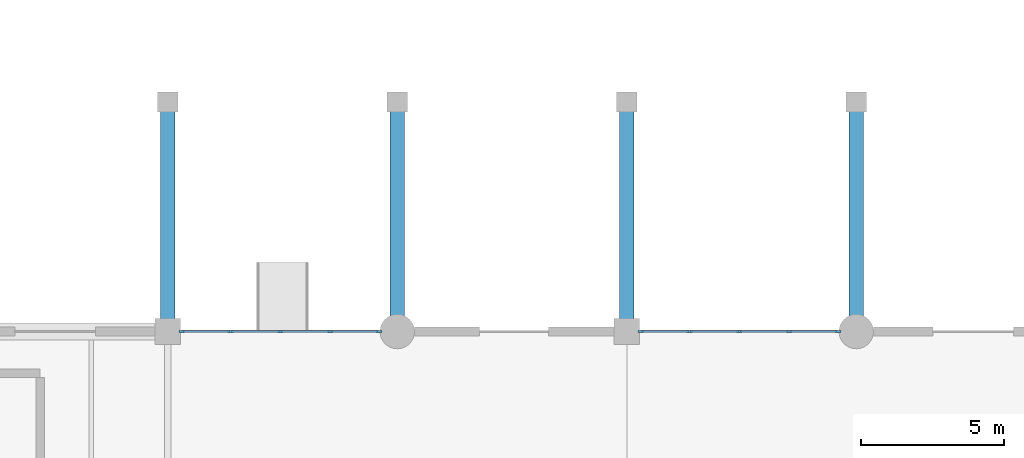
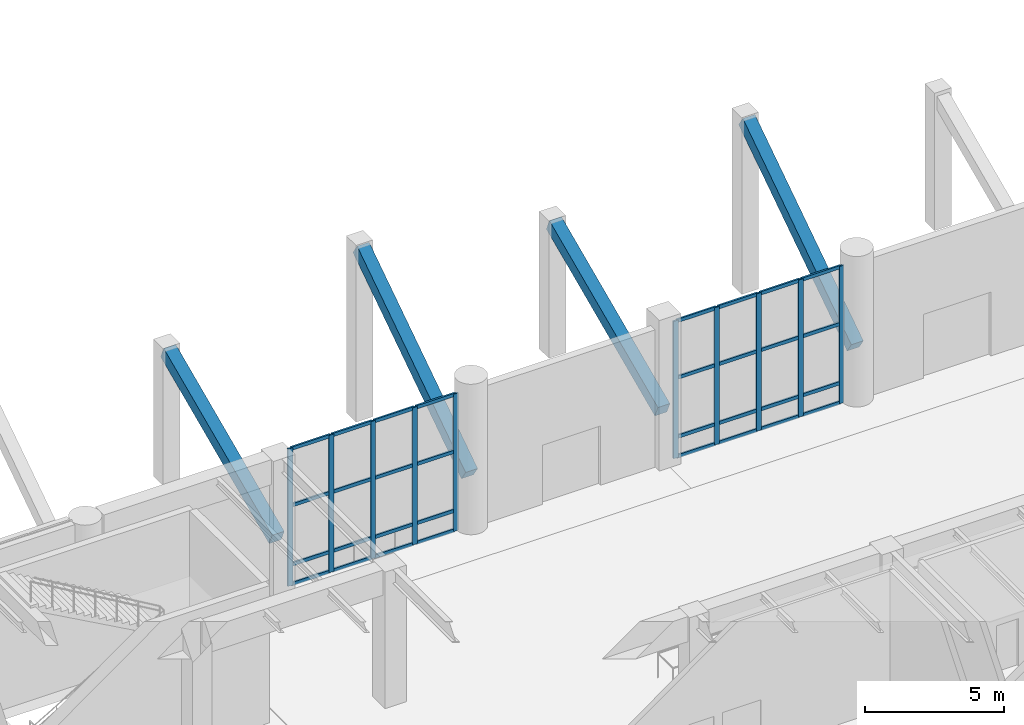
# One storey, part 17 of 51: 46 members, 2 elements without a shape of their own.
"""IFC4 building model written with IfcOpenShell, lengths in metres."""

from ifc_helpers import new_model, si_unit, direction, frame, origin, origin_2d, place, context, subcontext, project, spatial, rectangle, extrude, material, layer, layer_set, material_profile, profile_set, type_object, element, aggregate, save


model = new_model("IFC4")

# Units and contexts
model_context = context("Model", 3, precision=1e-05, world=origin(), true_north=direction((0.0, 1.0)))
body_context = subcontext(model_context, "Body", "Model", "MODEL_VIEW")
ifc_project = project(units=[si_unit("LENGTHUNIT", "METRE"), si_unit("AREAUNIT", "SQUARE_METRE"), si_unit("VOLUMEUNIT", "CUBIC_METRE"), si_unit("PLANEANGLEUNIT", "RADIAN"), si_unit("MASSUNIT", "GRAM", prefix="KILO")], contexts=[model_context])

# Site, building, storey
site_placement = place(None, origin())
site = spatial("IfcSite", under=ifc_project, at=site_placement, CompositionType="ELEMENT")
building_placement = place(site_placement, origin())
building = spatial("IfcBuilding", under=site, at=building_placement, Name="Varnela Railside Interchange", CompositionType="ELEMENT")
storey_placement = place(building_placement, origin())
storey = spatial("IfcBuildingStorey", under=building, at=storey_placement, Name="L00", CompositionType="ELEMENT", Elevation=0.0)

# Curtain wall, members
ifc_material_1 = material(Name="Aluminium 6063-T6", Category="aluminium")
ifc_layer = layer(ifc_material_1, 0.035888671875)
ifc_layer_set = layer_set([ifc_layer], Name="Aluminium 6063-T6")
curtain_wall_type = type_object("IfcCurtainWallType", Name="Arrival Forecourt Portal Curtain Wall CW-04", PredefinedType="USERDEFINED", material=ifc_layer_set)
curtain_wall_1_placement = place(storey_placement, origin())
curtain_wall_1 = element("IfcCurtainWall", 1, at=curtain_wall_1_placement, inside=storey, type_object=curtain_wall_type, Name="Curtain Wall CW-04 (L00) (CW-007)", ObjectType="CURTAIN WALL", PredefinedType="USERDEFINED")
ifc_material_profile_1 = material_profile(ifc_material_1, rectangle(XDim=0.074951171875, YDim=0.199951171875, at=origin_2d()), Name="ALU 75x200")
ifc_profile_set_1 = profile_set([ifc_material_profile_1], Name="Aluminium 6063-T6")
member_type_1 = type_object("IfcMemberType", Name="Portal Heavy Mullion ML-04", PredefinedType="MULLION", material=ifc_profile_set_1)
member_1_placement = place(storey_placement, frame((68.487548828125, 62.0, 0.0), z_axis=(0.0, 0.0, 1.0), x_axis=(0.0, 1.0, 0.0)))
member_1 = element("IfcMember", 2, at=member_1_placement, type_object=member_type_1, Name="CW-04 mullion 1", PredefinedType="MULLION", context=body_context, shape_type="SweptSolid", body=[
    extrude(rectangle(XDim=0.074951171875, YDim=0.199951171875, at=origin_2d()), origin(), (0.0, 0.0, 1.0), 6.02001953125),
])
member_2_placement = place(storey_placement, frame((70.1875, 62.0, 0.0), z_axis=(0.0, 0.0, 1.0), x_axis=(0.0, 1.0, 0.0)))
member_2 = element("IfcMember", 3, at=member_2_placement, type_object=member_type_1, Name="CW-04 mullion 2", PredefinedType="MULLION", context=body_context, shape_type="SweptSolid", body=[
    extrude(rectangle(XDim=0.074951171875, YDim=0.199951171875, at=origin_2d()), origin(), (0.0, 0.0, 1.0), 6.02001953125),
])
member_3_placement = place(storey_placement, frame((71.925048828125, 62.0, 0.0), z_axis=(0.0, 0.0, 1.0), x_axis=(0.0, 1.0, 0.0)))
member_3 = element("IfcMember", 4, at=member_3_placement, type_object=member_type_1, Name="CW-04 mullion 3", PredefinedType="MULLION", context=body_context, shape_type="SweptSolid", body=[
    extrude(rectangle(XDim=0.074951171875, YDim=0.199951171875, at=origin_2d()), origin(), (0.0, 0.0, 1.0), 6.02001953125),
])
member_4_placement = place(storey_placement, frame((73.66259765625, 62.0, 0.0), z_axis=(0.0, 0.0, 1.0), x_axis=(0.0, 1.0, 0.0)))
member_4 = element("IfcMember", 5, at=member_4_placement, type_object=member_type_1, Name="CW-04 mullion 4", PredefinedType="MULLION", context=body_context, shape_type="SweptSolid", body=[
    extrude(rectangle(XDim=0.074951171875, YDim=0.199951171875, at=origin_2d()), origin(), (0.0, 0.0, 1.0), 6.02001953125),
])
member_5_placement = place(storey_placement, frame((75.362548828125, 62.0, 0.0), z_axis=(0.0, 0.0, 1.0), x_axis=(0.0, 1.0, 0.0)))
member_5 = element("IfcMember", 6, at=member_5_placement, type_object=member_type_1, Name="CW-04 mullion 5", PredefinedType="MULLION", context=body_context, shape_type="SweptSolid", body=[
    extrude(rectangle(XDim=0.074951171875, YDim=0.199951171875, at=origin_2d()), origin(), (0.0, 0.0, 1.0), 6.02001953125),
])

curtain_wall_2_placement = place(storey_placement, origin())
curtain_wall_2 = element("IfcCurtainWall", 7, at=curtain_wall_2_placement, inside=storey, type_object=curtain_wall_type, Name="Curtain Wall CW-04 (L00) (CW-008)", ObjectType="CURTAIN WALL", PredefinedType="USERDEFINED")
member_6_placement = place(storey_placement, frame((84.487548828125, 62.0, 0.0), z_axis=(0.0, 0.0, 1.0), x_axis=(0.0, 1.0, 0.0)))
member_6 = element("IfcMember", 8, at=member_6_placement, type_object=member_type_1, Name="CW-04 mullion 1", PredefinedType="MULLION", context=body_context, shape_type="SweptSolid", body=[
    extrude(rectangle(XDim=0.074951171875, YDim=0.199951171875, at=origin_2d()), origin(), (0.0, 0.0, 1.0), 6.02001953125),
])
member_7_placement = place(storey_placement, frame((86.1875, 62.0, 0.0), z_axis=(0.0, 0.0, 1.0), x_axis=(0.0, 1.0, 0.0)))
member_7 = element("IfcMember", 9, at=member_7_placement, type_object=member_type_1, Name="CW-04 mullion 2", PredefinedType="MULLION", context=body_context, shape_type="SweptSolid", body=[
    extrude(rectangle(XDim=0.074951171875, YDim=0.199951171875, at=origin_2d()), origin(), (0.0, 0.0, 1.0), 6.02001953125),
])
member_8_placement = place(storey_placement, frame((87.925048828125, 62.0, 0.0), z_axis=(0.0, 0.0, 1.0), x_axis=(0.0, 1.0, 0.0)))
member_8 = element("IfcMember", 10, at=member_8_placement, type_object=member_type_1, Name="CW-04 mullion 3", PredefinedType="MULLION", context=body_context, shape_type="SweptSolid", body=[
    extrude(rectangle(XDim=0.074951171875, YDim=0.199951171875, at=origin_2d()), origin(), (0.0, 0.0, 1.0), 6.02001953125),
])
member_9_placement = place(storey_placement, frame((89.66259765625, 62.0, 0.0), z_axis=(0.0, 0.0, 1.0), x_axis=(0.0, 1.0, 0.0)))
member_9 = element("IfcMember", 11, at=member_9_placement, type_object=member_type_1, Name="CW-04 mullion 4", PredefinedType="MULLION", context=body_context, shape_type="SweptSolid", body=[
    extrude(rectangle(XDim=0.074951171875, YDim=0.199951171875, at=origin_2d()), origin(), (0.0, 0.0, 1.0), 6.02001953125),
])
member_10_placement = place(storey_placement, frame((91.362548828125, 62.0, 0.0), z_axis=(0.0, 0.0, 1.0), x_axis=(0.0, 1.0, 0.0)))
member_10 = element("IfcMember", 12, at=member_10_placement, type_object=member_type_1, Name="CW-04 mullion 5", PredefinedType="MULLION", context=body_context, shape_type="SweptSolid", body=[
    extrude(rectangle(XDim=0.074951171875, YDim=0.199951171875, at=origin_2d()), origin(), (0.0, 0.0, 1.0), 6.02001953125),
])

# Member
ifc_material_profile_2 = material_profile(ifc_material_1, rectangle(XDim=0.074951171875, YDim=0.14990234375, at=origin_2d()), Name="ALU 75x150")
ifc_profile_set_2 = profile_set([ifc_material_profile_2], Name="Aluminium 6063-T6")
member_type_2 = type_object("IfcMemberType", Name="Portal Heavy Transom TR-04", PredefinedType="USERDEFINED", material=ifc_profile_set_2)
member_11_placement = place(storey_placement, frame((68.52490234375, 62.0, 0.03759765625), z_axis=(1.0, 0.0, 0.0), x_axis=(0.0, 1.0, 0.0)))
member_11 = element("IfcMember", 13, at=member_11_placement, type_object=member_type_2, Name="CW-04 transom 1.1", ObjectType="TRANSOM", PredefinedType="USERDEFINED", context=body_context, shape_type="SweptSolid", body=[
    extrude(rectangle(XDim=0.074951171875, YDim=0.14990234375, at=origin_2d()), origin(), (0.0, 0.0, 1.0), 1.625),
])

member_12_placement = place(storey_placement, frame((68.52490234375, 62.0, 0.89990234375), z_axis=(1.0, 0.0, 0.0), x_axis=(0.0, 1.0, 0.0)))
member_12 = element("IfcMember", 14, at=member_12_placement, type_object=member_type_2, Name="CW-04 transom 1.2", ObjectType="TRANSOM", PredefinedType="USERDEFINED", context=body_context, shape_type="SweptSolid", body=[
    extrude(rectangle(XDim=0.074951171875, YDim=0.14990234375, at=origin_2d()), origin(), (0.0, 0.0, 1.0), 1.625),
])

member_13_placement = place(storey_placement, frame((68.52490234375, 62.0, 3.49169921875), z_axis=(1.0, 0.0, 0.0), x_axis=(0.0, 1.0, 0.0)))
member_13 = element("IfcMember", 15, at=member_13_placement, type_object=member_type_2, Name="CW-04 transom 1.3", ObjectType="TRANSOM", PredefinedType="USERDEFINED", context=body_context, shape_type="SweptSolid", body=[
    extrude(rectangle(XDim=0.074951171875, YDim=0.14990234375, at=origin_2d()), origin(), (0.0, 0.0, 1.0), 1.625),
])

member_14_placement = place(storey_placement, frame((68.52490234375, 62.0, 5.982421875), z_axis=(1.0, 0.0, 0.0), x_axis=(0.0, 1.0, 0.0)))
member_14 = element("IfcMember", 16, at=member_14_placement, type_object=member_type_2, Name="CW-04 transom 1.4", ObjectType="TRANSOM", PredefinedType="USERDEFINED", context=body_context, shape_type="SweptSolid", body=[
    extrude(rectangle(XDim=0.074951171875, YDim=0.14990234375, at=origin_2d()), origin(), (0.0, 0.0, 1.0), 1.625),
])

member_15_placement = place(storey_placement, frame((70.22509765625, 62.0, 0.03759765625), z_axis=(1.0, 0.0, 0.0), x_axis=(0.0, 1.0, 0.0)))
member_15 = element("IfcMember", 17, at=member_15_placement, type_object=member_type_2, Name="CW-04 transom 2.1", ObjectType="TRANSOM", PredefinedType="USERDEFINED", context=body_context, shape_type="SweptSolid", body=[
    extrude(rectangle(XDim=0.074951171875, YDim=0.14990234375, at=origin_2d()), origin(), (0.0, 0.0, 1.0), 1.662353515625),
])

member_16_placement = place(storey_placement, frame((70.22509765625, 62.0, 0.89990234375), z_axis=(1.0, 0.0, 0.0), x_axis=(0.0, 1.0, 0.0)))
member_16 = element("IfcMember", 18, at=member_16_placement, type_object=member_type_2, Name="CW-04 transom 2.2", ObjectType="TRANSOM", PredefinedType="USERDEFINED", context=body_context, shape_type="SweptSolid", body=[
    extrude(rectangle(XDim=0.074951171875, YDim=0.14990234375, at=origin_2d()), origin(), (0.0, 0.0, 1.0), 1.662353515625),
])

member_17_placement = place(storey_placement, frame((70.22509765625, 62.0, 3.49169921875), z_axis=(1.0, 0.0, 0.0), x_axis=(0.0, 1.0, 0.0)))
member_17 = element("IfcMember", 19, at=member_17_placement, type_object=member_type_2, Name="CW-04 transom 2.3", ObjectType="TRANSOM", PredefinedType="USERDEFINED", context=body_context, shape_type="SweptSolid", body=[
    extrude(rectangle(XDim=0.074951171875, YDim=0.14990234375, at=origin_2d()), origin(), (0.0, 0.0, 1.0), 1.662353515625),
])

member_18_placement = place(storey_placement, frame((70.22509765625, 62.0, 5.982421875), z_axis=(1.0, 0.0, 0.0), x_axis=(0.0, 1.0, 0.0)))
member_18 = element("IfcMember", 20, at=member_18_placement, type_object=member_type_2, Name="CW-04 transom 2.4", ObjectType="TRANSOM", PredefinedType="USERDEFINED", context=body_context, shape_type="SweptSolid", body=[
    extrude(rectangle(XDim=0.074951171875, YDim=0.14990234375, at=origin_2d()), origin(), (0.0, 0.0, 1.0), 1.662353515625),
])

member_19_placement = place(storey_placement, frame((71.96240234375, 62.0, 0.03759765625), z_axis=(1.0, 0.0, 0.0), x_axis=(0.0, 1.0, 0.0)))
member_19 = element("IfcMember", 21, at=member_19_placement, type_object=member_type_2, Name="CW-04 transom 3.1", ObjectType="TRANSOM", PredefinedType="USERDEFINED", context=body_context, shape_type="SweptSolid", body=[
    extrude(rectangle(XDim=0.074951171875, YDim=0.14990234375, at=origin_2d()), origin(), (0.0, 0.0, 1.0), 1.66259765625),
])

member_20_placement = place(storey_placement, frame((71.96240234375, 62.0, 0.89990234375), z_axis=(1.0, 0.0, 0.0), x_axis=(0.0, 1.0, 0.0)))
member_20 = element("IfcMember", 22, at=member_20_placement, type_object=member_type_2, Name="CW-04 transom 3.2", ObjectType="TRANSOM", PredefinedType="USERDEFINED", context=body_context, shape_type="SweptSolid", body=[
    extrude(rectangle(XDim=0.074951171875, YDim=0.14990234375, at=origin_2d()), origin(), (0.0, 0.0, 1.0), 1.66259765625),
])

member_21_placement = place(storey_placement, frame((71.96240234375, 62.0, 3.49169921875), z_axis=(1.0, 0.0, 0.0), x_axis=(0.0, 1.0, 0.0)))
member_21 = element("IfcMember", 23, at=member_21_placement, type_object=member_type_2, Name="CW-04 transom 3.3", ObjectType="TRANSOM", PredefinedType="USERDEFINED", context=body_context, shape_type="SweptSolid", body=[
    extrude(rectangle(XDim=0.074951171875, YDim=0.14990234375, at=origin_2d()), origin(), (0.0, 0.0, 1.0), 1.66259765625),
])

member_22_placement = place(storey_placement, frame((71.96240234375, 62.0, 5.982421875), z_axis=(1.0, 0.0, 0.0), x_axis=(0.0, 1.0, 0.0)))
member_22 = element("IfcMember", 24, at=member_22_placement, type_object=member_type_2, Name="CW-04 transom 3.4", ObjectType="TRANSOM", PredefinedType="USERDEFINED", context=body_context, shape_type="SweptSolid", body=[
    extrude(rectangle(XDim=0.074951171875, YDim=0.14990234375, at=origin_2d()), origin(), (0.0, 0.0, 1.0), 1.66259765625),
])

member_23_placement = place(storey_placement, frame((73.699951171875, 62.0, 0.03759765625), z_axis=(1.0, 0.0, 0.0), x_axis=(0.0, 1.0, 0.0)))
member_23 = element("IfcMember", 25, at=member_23_placement, type_object=member_type_2, Name="CW-04 transom 4.1", ObjectType="TRANSOM", PredefinedType="USERDEFINED", context=body_context, shape_type="SweptSolid", body=[
    extrude(rectangle(XDim=0.074951171875, YDim=0.14990234375, at=origin_2d()), origin(), (0.0, 0.0, 1.0), 1.625),
])

member_24_placement = place(storey_placement, frame((73.699951171875, 62.0, 0.89990234375), z_axis=(1.0, 0.0, 0.0), x_axis=(0.0, 1.0, 0.0)))
member_24 = element("IfcMember", 26, at=member_24_placement, type_object=member_type_2, Name="CW-04 transom 4.2", ObjectType="TRANSOM", PredefinedType="USERDEFINED", context=body_context, shape_type="SweptSolid", body=[
    extrude(rectangle(XDim=0.074951171875, YDim=0.14990234375, at=origin_2d()), origin(), (0.0, 0.0, 1.0), 1.625),
])

member_25_placement = place(storey_placement, frame((73.699951171875, 62.0, 3.49169921875), z_axis=(1.0, 0.0, 0.0), x_axis=(0.0, 1.0, 0.0)))
member_25 = element("IfcMember", 27, at=member_25_placement, type_object=member_type_2, Name="CW-04 transom 4.3", ObjectType="TRANSOM", PredefinedType="USERDEFINED", context=body_context, shape_type="SweptSolid", body=[
    extrude(rectangle(XDim=0.074951171875, YDim=0.14990234375, at=origin_2d()), origin(), (0.0, 0.0, 1.0), 1.625),
])

member_26_placement = place(storey_placement, frame((73.699951171875, 62.0, 5.982421875), z_axis=(1.0, 0.0, 0.0), x_axis=(0.0, 1.0, 0.0)))
member_26 = element("IfcMember", 28, at=member_26_placement, type_object=member_type_2, Name="CW-04 transom 4.4", ObjectType="TRANSOM", PredefinedType="USERDEFINED", context=body_context, shape_type="SweptSolid", body=[
    extrude(rectangle(XDim=0.074951171875, YDim=0.14990234375, at=origin_2d()), origin(), (0.0, 0.0, 1.0), 1.625),
])

aggregate(curtain_wall_1, [member_1, member_2, member_3, member_4, member_5, member_11, member_12, member_13, member_14, member_15, member_16, member_17, member_18, member_19, member_20, member_21, member_22, member_23, member_24, member_25, member_26])

member_27_placement = place(storey_placement, frame((84.52490234375, 62.0, 0.03759765625), z_axis=(1.0, 0.0, 0.0), x_axis=(0.0, 1.0, 0.0)))
member_27 = element("IfcMember", 29, at=member_27_placement, type_object=member_type_2, Name="CW-04 transom 1.1", ObjectType="TRANSOM", PredefinedType="USERDEFINED", context=body_context, shape_type="SweptSolid", body=[
    extrude(rectangle(XDim=0.074951171875, YDim=0.14990234375, at=origin_2d()), origin(), (0.0, 0.0, 1.0), 1.625),
])

member_28_placement = place(storey_placement, frame((84.52490234375, 62.0, 0.89990234375), z_axis=(1.0, 0.0, 0.0), x_axis=(0.0, 1.0, 0.0)))
member_28 = element("IfcMember", 30, at=member_28_placement, type_object=member_type_2, Name="CW-04 transom 1.2", ObjectType="TRANSOM", PredefinedType="USERDEFINED", context=body_context, shape_type="SweptSolid", body=[
    extrude(rectangle(XDim=0.074951171875, YDim=0.14990234375, at=origin_2d()), origin(), (0.0, 0.0, 1.0), 1.625),
])

member_29_placement = place(storey_placement, frame((84.52490234375, 62.0, 3.49169921875), z_axis=(1.0, 0.0, 0.0), x_axis=(0.0, 1.0, 0.0)))
member_29 = element("IfcMember", 31, at=member_29_placement, type_object=member_type_2, Name="CW-04 transom 1.3", ObjectType="TRANSOM", PredefinedType="USERDEFINED", context=body_context, shape_type="SweptSolid", body=[
    extrude(rectangle(XDim=0.074951171875, YDim=0.14990234375, at=origin_2d()), origin(), (0.0, 0.0, 1.0), 1.625),
])

member_30_placement = place(storey_placement, frame((84.52490234375, 62.0, 5.982421875), z_axis=(1.0, 0.0, 0.0), x_axis=(0.0, 1.0, 0.0)))
member_30 = element("IfcMember", 32, at=member_30_placement, type_object=member_type_2, Name="CW-04 transom 1.4", ObjectType="TRANSOM", PredefinedType="USERDEFINED", context=body_context, shape_type="SweptSolid", body=[
    extrude(rectangle(XDim=0.074951171875, YDim=0.14990234375, at=origin_2d()), origin(), (0.0, 0.0, 1.0), 1.625),
])

member_31_placement = place(storey_placement, frame((86.22509765625, 62.0, 0.03759765625), z_axis=(1.0, 0.0, 0.0), x_axis=(0.0, 1.0, 0.0)))
member_31 = element("IfcMember", 33, at=member_31_placement, type_object=member_type_2, Name="CW-04 transom 2.1", ObjectType="TRANSOM", PredefinedType="USERDEFINED", context=body_context, shape_type="SweptSolid", body=[
    extrude(rectangle(XDim=0.074951171875, YDim=0.14990234375, at=origin_2d()), origin(), (0.0, 0.0, 1.0), 1.662353515625),
])

member_32_placement = place(storey_placement, frame((86.22509765625, 62.0, 0.89990234375), z_axis=(1.0, 0.0, 0.0), x_axis=(0.0, 1.0, 0.0)))
member_32 = element("IfcMember", 34, at=member_32_placement, type_object=member_type_2, Name="CW-04 transom 2.2", ObjectType="TRANSOM", PredefinedType="USERDEFINED", context=body_context, shape_type="SweptSolid", body=[
    extrude(rectangle(XDim=0.074951171875, YDim=0.14990234375, at=origin_2d()), origin(), (0.0, 0.0, 1.0), 1.662353515625),
])

member_33_placement = place(storey_placement, frame((86.22509765625, 62.0, 3.49169921875), z_axis=(1.0, 0.0, 0.0), x_axis=(0.0, 1.0, 0.0)))
member_33 = element("IfcMember", 35, at=member_33_placement, type_object=member_type_2, Name="CW-04 transom 2.3", ObjectType="TRANSOM", PredefinedType="USERDEFINED", context=body_context, shape_type="SweptSolid", body=[
    extrude(rectangle(XDim=0.074951171875, YDim=0.14990234375, at=origin_2d()), origin(), (0.0, 0.0, 1.0), 1.662353515625),
])

member_34_placement = place(storey_placement, frame((86.22509765625, 62.0, 5.982421875), z_axis=(1.0, 0.0, 0.0), x_axis=(0.0, 1.0, 0.0)))
member_34 = element("IfcMember", 36, at=member_34_placement, type_object=member_type_2, Name="CW-04 transom 2.4", ObjectType="TRANSOM", PredefinedType="USERDEFINED", context=body_context, shape_type="SweptSolid", body=[
    extrude(rectangle(XDim=0.074951171875, YDim=0.14990234375, at=origin_2d()), origin(), (0.0, 0.0, 1.0), 1.662353515625),
])

member_35_placement = place(storey_placement, frame((87.96240234375, 62.0, 0.03759765625), z_axis=(1.0, 0.0, 0.0), x_axis=(0.0, 1.0, 0.0)))
member_35 = element("IfcMember", 37, at=member_35_placement, type_object=member_type_2, Name="CW-04 transom 3.1", ObjectType="TRANSOM", PredefinedType="USERDEFINED", context=body_context, shape_type="SweptSolid", body=[
    extrude(rectangle(XDim=0.074951171875, YDim=0.14990234375, at=origin_2d()), origin(), (0.0, 0.0, 1.0), 1.66259765625),
])

member_36_placement = place(storey_placement, frame((87.96240234375, 62.0, 0.89990234375), z_axis=(1.0, 0.0, 0.0), x_axis=(0.0, 1.0, 0.0)))
member_36 = element("IfcMember", 38, at=member_36_placement, type_object=member_type_2, Name="CW-04 transom 3.2", ObjectType="TRANSOM", PredefinedType="USERDEFINED", context=body_context, shape_type="SweptSolid", body=[
    extrude(rectangle(XDim=0.074951171875, YDim=0.14990234375, at=origin_2d()), origin(), (0.0, 0.0, 1.0), 1.66259765625),
])

member_37_placement = place(storey_placement, frame((87.96240234375, 62.0, 3.49169921875), z_axis=(1.0, 0.0, 0.0), x_axis=(0.0, 1.0, 0.0)))
member_37 = element("IfcMember", 39, at=member_37_placement, type_object=member_type_2, Name="CW-04 transom 3.3", ObjectType="TRANSOM", PredefinedType="USERDEFINED", context=body_context, shape_type="SweptSolid", body=[
    extrude(rectangle(XDim=0.074951171875, YDim=0.14990234375, at=origin_2d()), origin(), (0.0, 0.0, 1.0), 1.66259765625),
])

member_38_placement = place(storey_placement, frame((87.96240234375, 62.0, 5.982421875), z_axis=(1.0, 0.0, 0.0), x_axis=(0.0, 1.0, 0.0)))
member_38 = element("IfcMember", 40, at=member_38_placement, type_object=member_type_2, Name="CW-04 transom 3.4", ObjectType="TRANSOM", PredefinedType="USERDEFINED", context=body_context, shape_type="SweptSolid", body=[
    extrude(rectangle(XDim=0.074951171875, YDim=0.14990234375, at=origin_2d()), origin(), (0.0, 0.0, 1.0), 1.66259765625),
])

member_39_placement = place(storey_placement, frame((89.699951171875, 62.0, 0.03759765625), z_axis=(1.0, 0.0, 0.0), x_axis=(0.0, 1.0, 0.0)))
member_39 = element("IfcMember", 41, at=member_39_placement, type_object=member_type_2, Name="CW-04 transom 4.1", ObjectType="TRANSOM", PredefinedType="USERDEFINED", context=body_context, shape_type="SweptSolid", body=[
    extrude(rectangle(XDim=0.074951171875, YDim=0.14990234375, at=origin_2d()), origin(), (0.0, 0.0, 1.0), 1.625),
])

member_40_placement = place(storey_placement, frame((89.699951171875, 62.0, 0.89990234375), z_axis=(1.0, 0.0, 0.0), x_axis=(0.0, 1.0, 0.0)))
member_40 = element("IfcMember", 42, at=member_40_placement, type_object=member_type_2, Name="CW-04 transom 4.2", ObjectType="TRANSOM", PredefinedType="USERDEFINED", context=body_context, shape_type="SweptSolid", body=[
    extrude(rectangle(XDim=0.074951171875, YDim=0.14990234375, at=origin_2d()), origin(), (0.0, 0.0, 1.0), 1.625),
])

member_41_placement = place(storey_placement, frame((89.699951171875, 62.0, 3.49169921875), z_axis=(1.0, 0.0, 0.0), x_axis=(0.0, 1.0, 0.0)))
member_41 = element("IfcMember", 43, at=member_41_placement, type_object=member_type_2, Name="CW-04 transom 4.3", ObjectType="TRANSOM", PredefinedType="USERDEFINED", context=body_context, shape_type="SweptSolid", body=[
    extrude(rectangle(XDim=0.074951171875, YDim=0.14990234375, at=origin_2d()), origin(), (0.0, 0.0, 1.0), 1.625),
])

member_42_placement = place(storey_placement, frame((89.699951171875, 62.0, 5.982421875), z_axis=(1.0, 0.0, 0.0), x_axis=(0.0, 1.0, 0.0)))
member_42 = element("IfcMember", 44, at=member_42_placement, type_object=member_type_2, Name="CW-04 transom 4.4", ObjectType="TRANSOM", PredefinedType="USERDEFINED", context=body_context, shape_type="SweptSolid", body=[
    extrude(rectangle(XDim=0.074951171875, YDim=0.14990234375, at=origin_2d()), origin(), (0.0, 0.0, 1.0), 1.625),
])

aggregate(curtain_wall_2, [member_6, member_7, member_8, member_9, member_10, member_27, member_28, member_29, member_30, member_31, member_32, member_33, member_34, member_35, member_36, member_37, member_38, member_39, member_40, member_41, member_42])

# Members
ifc_material_2 = material(Name="Concrete C50", Category="concrete")
ifc_material_profile_3 = material_profile(ifc_material_2, rectangle(XDim=0.5, YDim=0.550048828125, at=origin_2d()), Name="RC 500x550")
ifc_profile_set_3 = profile_set([ifc_material_profile_3], Name="Concrete C50")
member_type_3 = type_object("IfcMemberType", Name="Sculpted V-Pier End Strut VP-02", PredefinedType="STRUT", material=ifc_profile_set_3)
member_43_placement = place(storey_placement, frame((68.0, 62.10009765625, 2.199951171875), z_axis=(0.0, 0.913664073607, 0.406470122642), x_axis=(-1.0, 0.0, 0.0)))
element("IfcMember", 45, at=member_43_placement, inside=storey, type_object=member_type_3, Name="Sculpted V-Pier End Strut VP-02 (L00) (MB-0037)", PredefinedType="STRUT", context=body_context, shape_type="SweptSolid", body=[
    extrude(rectangle(XDim=0.5, YDim=0.550048828125, at=origin_2d()), origin(), (0.0, 0.0, 1.0), 8.536865234375),
])
member_44_placement = place(storey_placement, frame((76.0, 62.10009765625, 2.199951171875), z_axis=(0.0, 0.832046287583, 0.554706206311), x_axis=(-1.0, 0.0, 0.0)))
element("IfcMember", 46, at=member_44_placement, inside=storey, type_object=member_type_3, Name="Sculpted V-Pier End Strut VP-02 (L00) (MB-0038)", PredefinedType="STRUT", context=body_context, shape_type="SweptSolid", body=[
    extrude(rectangle(XDim=0.5, YDim=0.550048828125, at=origin_2d()), origin(), (0.0, 0.0, 1.0), 9.374267578125),
])
member_45_placement = place(storey_placement, frame((84.0, 62.10009765625, 2.199951171875), z_axis=(0.0, 0.913664073607, 0.406470122642), x_axis=(-1.0, 0.0, 0.0)))
element("IfcMember", 47, at=member_45_placement, inside=storey, type_object=member_type_3, Name="Sculpted V-Pier End Strut VP-02 (L00) (MB-0039)", PredefinedType="STRUT", context=body_context, shape_type="SweptSolid", body=[
    extrude(rectangle(XDim=0.5, YDim=0.550048828125, at=origin_2d()), origin(), (0.0, 0.0, 1.0), 8.536865234375),
])
member_46_placement = place(storey_placement, frame((92.0, 62.10009765625, 2.199951171875), z_axis=(0.0, 0.832046287583, 0.554706206311), x_axis=(-1.0, 0.0, 0.0)))
element("IfcMember", 48, at=member_46_placement, inside=storey, type_object=member_type_3, Name="Sculpted V-Pier End Strut VP-02 (L00) (MB-0040)", PredefinedType="STRUT", context=body_context, shape_type="SweptSolid", body=[
    extrude(rectangle(XDim=0.5, YDim=0.550048828125, at=origin_2d()), origin(), (0.0, 0.0, 1.0), 9.374267578125),
])

save(model, "model.ifc")
